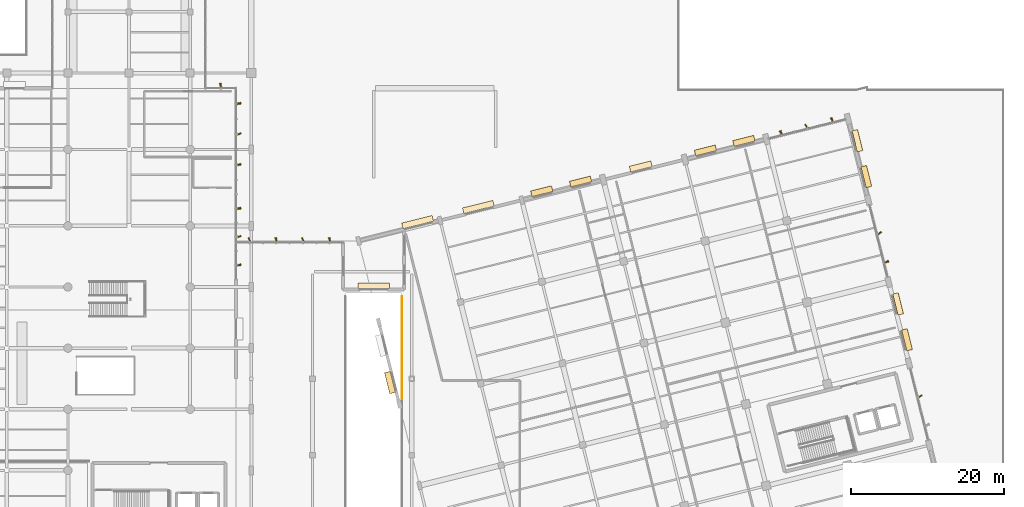
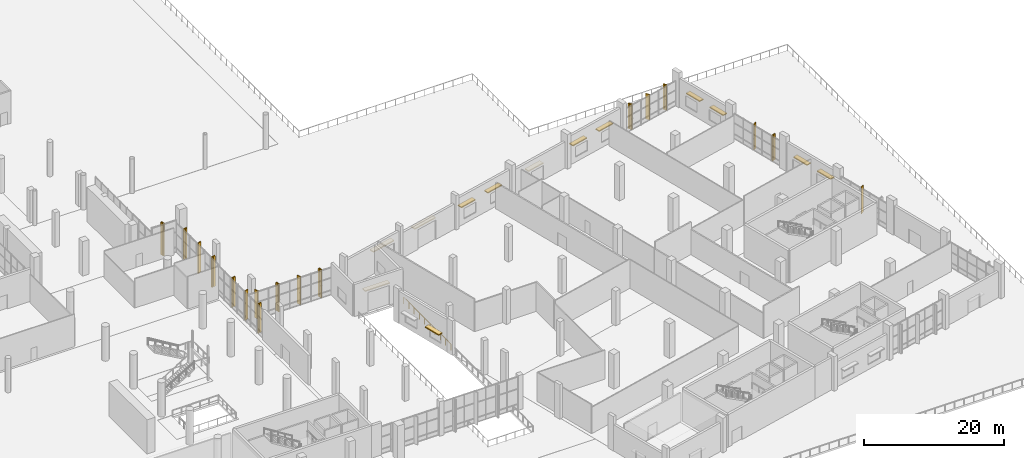
# One storey, part 159 of 163: 26 shading devices, 23 coverings, 1 railing.
"""IFC4 building model written with IfcOpenShell, lengths in metres."""

import ifcopenshell
import ifcopenshell.guid

model = None  # the IFC model being written
_history = None  # IfcOwnerHistory: only IFC2X3 demands one
_inside = {}  # id of a spatial element -> (the spatial element, [elements in it])
_under = {}  # id of a project, library or spatial element -> (it, [spatial elements below it])
_declared = {}  # id of a project -> (the project, [libraries it declares])
_typed = {}  # id of a type object -> (the type object, [elements of that type])
_made_of = {}  # id of a material, layer set ... -> (it, [elements and type objects made of it])


def new_model(schema):
    """Start an empty IFC model of exactly this schema.

    Asked for "IFC4X3", IfcOpenShell would pick the latest addendum, in which some entities
    have other attributes; the version numbers below select the first issue.
    IFC2X3 requires an IfcOwnerHistory on every rooted entity: one is made here for all.
    """
    global model, _history
    if schema == "IFC4X3":
        model = ifcopenshell.file(schema_version=(4, 3, 0, 0))
    else:
        model = ifcopenshell.file(schema=schema)
    _inside.clear()
    _under.clear()
    _declared.clear()
    _typed.clear()
    _made_of.clear()
    _history = None
    if model.schema == "IFC2X3":
        org = make("IfcOrganization", Name="unknown")
        user = make(
            "IfcPersonAndOrganization",
            ThePerson=make("IfcPerson", FamilyName="unknown"),
            TheOrganization=org,
        )
        app = make(
            "IfcApplication",
            ApplicationDeveloper=org,
            Version="unknown",
            ApplicationFullName="unknown",
            ApplicationIdentifier="unknown",
        )
        _history = make(
            "IfcOwnerHistory",
            OwningUser=user,
            OwningApplication=app,
            ChangeAction="ADDED",
            CreationDate=0,
        )
    return model


def make(cls, **values):
    """One entity of the class cls with the attributes given. An attribute that is None is left unset."""
    return model.create_entity(
        cls, **{name: value for name, value in values.items() if value is not None}
    )


def rooted(cls, **values):
    """An entity with a GlobalId (a new one), such as an element, a storey or a relation."""
    return make(cls, GlobalId=ifcopenshell.guid.new(), OwnerHistory=_history, **values)


def si_unit(unit_type, name, prefix=None):
    """IfcSIUnit, for example si_unit("LENGTHUNIT", "METRE", prefix="MILLI")."""
    return make("IfcSIUnit", UnitType=unit_type, Prefix=prefix, Name=name)


def assignment(units):
    """IfcUnitAssignment: the units of a project."""
    return None if units is None else make("IfcUnitAssignment", Units=units)


def point(xyz):
    """IfcCartesianPoint."""
    return None if xyz is None else make("IfcCartesianPoint", Coordinates=xyz)


def direction(xyz):
    """IfcDirection."""
    return None if xyz is None else make("IfcDirection", DirectionRatios=xyz)


def frame(location, z_axis=None, x_axis=None):
    """IfcAxis2Placement3D, a coordinate frame: its origin and axes. An axis left out is left unset."""
    return make(
        "IfcAxis2Placement3D",
        Location=point(location),
        Axis=direction(z_axis),
        RefDirection=direction(x_axis),
    )


def frame_2d(location, x_axis=None):
    """IfcAxis2Placement2D, a coordinate frame in the plane: its origin and x axis."""
    return make(
        "IfcAxis2Placement2D", Location=point(location), RefDirection=direction(x_axis)
    )


def origin():
    """The frame at (0, 0, 0) with its axes left unset."""
    return frame((0.0, 0.0, 0.0))


def origin_2d():
    """The frame at (0, 0) in the plane with its x axis left unset."""
    return frame_2d((0.0, 0.0))


def place(relative_to, where):
    """IfcLocalPlacement: puts the frame where relative to a parent placement (None: the world)."""
    return make(
        "IfcLocalPlacement", PlacementRelTo=relative_to, RelativePlacement=where
    )


def context(
    kind, dimensions, precision=None, world=None, true_north=None, identifier=None
):
    """IfcGeometricRepresentationContext, for example the 3D "Model" context."""
    return make(
        "IfcGeometricRepresentationContext",
        ContextIdentifier=identifier,
        ContextType=kind,
        CoordinateSpaceDimension=dimensions,
        Precision=precision,
        WorldCoordinateSystem=world,
        TrueNorth=true_north,
    )


def subcontext(parent, identifier, kind, view, scale=None):
    """IfcGeometricRepresentationSubContext, for example "Body" below "Model"."""
    return make(
        "IfcGeometricRepresentationSubContext",
        ContextIdentifier=identifier,
        ContextType=kind,
        ParentContext=parent,
        TargetScale=scale,
        TargetView=view,
    )


def project(units=None, contexts=None):
    """IfcProject with its units and contexts."""
    return rooted(
        "IfcProject",
        Name="project",
        RepresentationContexts=contexts,
        UnitsInContext=assignment(units),
    )


def spatial(cls, under=None, at=None, **own):
    """A site, building, storey or space (cls), placed at a placement, below another one or the project."""
    s = rooted(cls, ObjectPlacement=at, **own)
    if under is not None:
        _under.setdefault(under.id(), (under, []))[1].append(s)
    return s


def profile(cls, at=None, kind="AREA", **sizes):
    """A parametric profile (cls). Its sizes go by their IFC names, for example OverallWidth=200.0."""
    return make(cls, ProfileType=kind, Position=at, **sizes)


def rectangle(**sizes):
    """IfcRectangleProfileDef."""
    return profile("IfcRectangleProfileDef", **sizes)


def extrude(swept, where, along, depth):
    """IfcExtrudedAreaSolid: the profile swept, set in the frame where, extruded along a direction by depth."""
    return make(
        "IfcExtrudedAreaSolid",
        SweptArea=swept,
        Position=where,
        ExtrudedDirection=direction(along),
        Depth=depth,
    )


def shape(context_of_items, identifier, shape_type, items):
    """IfcShapeRepresentation: the items that make up one representation, for example the "Body"."""
    return make(
        "IfcShapeRepresentation",
        ContextOfItems=context_of_items,
        RepresentationIdentifier=identifier,
        RepresentationType=shape_type,
        Items=items,
    )


def material(Name=None, Category=None):
    """IfcMaterial."""
    return make("IfcMaterial", Name=Name, Category=Category)


def layer(
    of_material, thickness, ventilated=None, Name=None, Category=None, Priority=None
):
    """IfcMaterialLayer: one layer of a wall or slab, of a material (None: an air gap)."""
    return make(
        "IfcMaterialLayer",
        Material=of_material,
        LayerThickness=thickness,
        IsVentilated=ventilated,
        Name=Name,
        Category=Category,
        Priority=Priority,
    )


def layer_set(layers, Name=None):
    """IfcMaterialLayerSet."""
    return make("IfcMaterialLayerSet", MaterialLayers=layers, LayerSetName=Name)


def made_of(thing, what):
    """Note that an element or type object is made of a material, layer set ...; save() writes the relation."""
    if what is not None:
        _made_of.setdefault(what.id(), (what, []))[1].append(thing)
    return thing


def type_object(cls, material=None, **own):
    """A type object (cls), such as IfcWallType, which elements share."""
    return made_of(rooted(cls, **own), material)


def element(
    cls,
    number,
    at=None,
    inside=None,
    cuts=None,
    type_object=None,
    material=None,
    context=None,
    identifier="Body",
    shape_type=None,
    held_by="IfcProductDefinitionShape",
    body=None,
    shapes=None,
    **own,
):
    """One element of the class cls, such as IfcWall. Its Tag is "e" and its number.

    at: its placement. inside: the storey or other place that contains it. cuts: it is an
    opening in that element (IfcRelVoidsElement). A single representation is given by context,
    identifier, shape_type and body (its items); several are given by shapes. held_by: the class
    of the entity that holds the representations. save() writes the other relations.
    """
    e = rooted(cls, Tag="e%d" % number, ObjectPlacement=at, **own)
    if body is not None:
        shapes = [shape(context, identifier, shape_type, body)]
    if shapes is not None:
        e.Representation = make(held_by, Representations=shapes)
    if inside is not None:
        _inside.setdefault(inside.id(), (inside, []))[1].append(e)
    if cuts is not None:
        rooted(
            "IfcRelVoidsElement", RelatingBuildingElement=cuts, RelatedOpeningElement=e
        )
    if type_object is not None:
        _typed.setdefault(type_object.id(), (type_object, []))[1].append(e)
    return made_of(e, material)


def aggregate(whole, parts):
    """IfcRelAggregates: a whole, such as a stair, and the parts it consists of."""
    return rooted("IfcRelAggregates", RelatingObject=whole, RelatedObjects=parts)


def save(model, path):
    """Write the relations noted so far, then the file.

    IfcRelAggregates (storeys below a building ...), IfcRelContainedInSpatialStructure (elements
    in a storey), IfcRelDefinesByType, IfcRelAssociatesMaterial and IfcRelDeclares: one each for
    every whole, place, type object, material and project.
    """
    for whole, parts in _under.values():
        aggregate(whole, parts)
    for where, things in _inside.values():
        rooted(
            "IfcRelContainedInSpatialStructure",
            RelatedElements=things,
            RelatingStructure=where,
        )
    for kind, things in _typed.values():
        rooted("IfcRelDefinesByType", RelatedObjects=things, RelatingType=kind)
    for what, things in _made_of.values():
        rooted("IfcRelAssociatesMaterial", RelatedObjects=things, RelatingMaterial=what)
    for by, libraries in _declared.values():
        rooted("IfcRelDeclares", RelatingContext=by, RelatedDefinitions=libraries)
    model.write(path)


model = new_model("IFC4")

# Units and contexts
model_context = context("Model", 3, precision=1e-05, world=origin(), true_north=direction((0.0, 1.0)))
body_context = subcontext(model_context, "Body", "Model", "MODEL_VIEW")
ifc_project = project(units=[si_unit("LENGTHUNIT", "METRE"), si_unit("AREAUNIT", "SQUARE_METRE"), si_unit("VOLUMEUNIT", "CUBIC_METRE"), si_unit("PLANEANGLEUNIT", "RADIAN"), si_unit("MASSUNIT", "GRAM", prefix="KILO")], contexts=[model_context])

# Site, building, storey
site_placement = place(None, origin())
site = spatial("IfcSite", under=ifc_project, at=site_placement, CompositionType="ELEMENT")
building_placement = place(site_placement, origin())
building = spatial("IfcBuilding", under=site, at=building_placement, Name="Khorjan Park Terminus", CompositionType="ELEMENT")
storey_placement = place(building_placement, origin())
storey = spatial("IfcBuildingStorey", under=building, at=storey_placement, Name="L00", CompositionType="ELEMENT", Elevation=0.0)

# Coverings
ifc_material_1 = material(Name="Pigmented Precast GRC", Category="concrete")
ifc_layer_1 = layer(ifc_material_1, 0.16)
ifc_layer_set_1 = layer_set([ifc_layer_1], Name="Pigmented Precast GRC")
covering_type_1 = type_object("IfcCoveringType", Name="CV-FIN-GRC", PredefinedType="CLADDING", material=ifc_layer_set_1)
covering_1_placement = place(storey_placement, frame((132.0, 86.355, -0.02), z_axis=(0.0, 0.0, 1.0), x_axis=(0.0, -1.0, 0.0)))
element("IfcCovering", 1, at=covering_1_placement, inside=storey, type_object=covering_type_1, Name="Projecting desert-sandstone GRC facade fin CL-FN1 (CW-V2-N-L00-08-1)", PredefinedType="CLADDING", context=body_context, shape_type="SweptSolid", body=[
    extrude(rectangle(XDim=0.58, YDim=0.16, at=origin_2d()), origin(), (0.0, 0.0, 1.0), 5.66),
])
for number, where, z_axis, x_axis, name in (
    (2, (134.355, 62.8571, -0.02), (0.0, 0.0, 1.0), (-1.0, 0.0, 0.0), "Projecting desert-sandstone GRC facade fin CL-FN1 (CW-V2-E-L00-03-1)"),
    (3, (134.355, 70.2857, -0.02), (0.0, 0.0, 1.0), (-1.0, 0.0, 0.0), "Projecting desert-sandstone GRC facade fin CL-FN1 (CW-V2-E-L00-03-5)"),
):
    element("IfcCovering", number, at=place(storey_placement, frame(where, z_axis=z_axis, x_axis=x_axis)), inside=storey, type_object=covering_type_1, Name=name, PredefinedType="CLADDING", context=body_context, shape_type="SweptSolid", body=[
        extrude(rectangle(XDim=0.58, YDim=0.16, at=origin_2d()), origin(), (0.0, 0.0, 1.0), 5.105),
    ])
for number, where, z_axis, x_axis, name in (
    (4, (134.355, 76.0, -0.02), (0.0, 0.0, 1.0), (-1.0, 0.0, 0.0), "Projecting desert-sandstone GRC facade fin CL-FN1 (CW-V2-E-L00-04-1)"),
    (5, (134.355, 84.0, -0.02), (0.0, 0.0, 1.0), (-1.0, 0.0, 0.0), "Projecting desert-sandstone GRC facade fin CL-FN1 (CW-V2-E-L00-04-5)"),
):
    element("IfcCovering", number, at=place(storey_placement, frame(where, z_axis=z_axis, x_axis=x_axis)), inside=storey, type_object=covering_type_1, Name=name, PredefinedType="CLADDING", context=body_context, shape_type="SweptSolid", body=[
        extrude(rectangle(XDim=0.58, YDim=0.16, at=origin_2d()), origin(), (0.0, 0.0, 1.0), 5.265),
    ])
for number, where, z_axis, x_axis, name in (
    (6, (146.25, 66.155, -0.02), (0.0, 0.0, 1.0), (0.0, -1.0, 0.0), "Projecting desert-sandstone GRC facade fin CL-FN1 (CW-V5L-N-L00-1-1)"),
    (7, (139.25, 66.155, -0.02), (0.0, 0.0, 1.0), (0.0, -1.0, 0.0), "Projecting desert-sandstone GRC facade fin CL-FN1 (CW-V5L-N-L00-1-5)"),
):
    element("IfcCovering", number, at=place(storey_placement, frame(where, z_axis=z_axis, x_axis=x_axis)), inside=storey, type_object=covering_type_1, Name=name, PredefinedType="CLADDING", context=body_context, shape_type="SweptSolid", body=[
        extrude(rectangle(XDim=0.58, YDim=0.16, at=origin_2d()), origin(), (0.0, 0.0, 1.0), 4.865),
    ])
covering_2_placement = place(storey_placement, frame((219.1086, 63.2764, -0.02), z_axis=(0.0, 0.0, 1.0), x_axis=(-0.970295726276, -0.2419218956, 0.0)))
element("IfcCovering", 8, at=covering_2_placement, inside=storey, type_object=covering_type_1, Name="Projecting desert-sandstone GRC facade fin CL-FN1 (CW-V5-E-L00-B05-1)", PredefinedType="CLADDING", context=body_context, shape_type="SweptSolid", body=[
    extrude(rectangle(XDim=0.58, YDim=0.16, at=origin_2d()), origin(), (0.0, 0.0, 1.0), 4.465),
])
for number, where, z_axis, x_axis, name in (
    (9, (211.9946, 81.8541, -0.02), (0.0, 0.0, 1.0), (0.2419218956, -0.970295726276, 0.0), "Projecting desert-sandstone GRC facade fin CL-FN1 (CW-V5-N-L00-B01-1)"),
    (10, (205.3055, 80.1863, -0.02), (0.0, 0.0, 1.0), (0.2419218956, -0.970295726276, 0.0), "Projecting desert-sandstone GRC facade fin CL-FN1 (CW-V5-N-L00-B01-5)"),
):
    element("IfcCovering", number, at=place(storey_placement, frame(where, z_axis=z_axis, x_axis=x_axis)), inside=storey, type_object=covering_type_1, Name=name, PredefinedType="CLADDING", context=body_context, shape_type="SweptSolid", body=[
        extrude(rectangle(XDim=0.58, YDim=0.16, at=origin_2d()), origin(), (0.0, 0.0, 1.0), 4.415),
    ])
ifc_layer_2 = layer(ifc_material_1, 0.18)
ifc_layer_set_2 = layer_set([ifc_layer_2], Name="Pigmented Precast GRC")
covering_type_2 = type_object("IfcCoveringType", Name="CV-HOOD-GRC", PredefinedType="CLADDING", material=ifc_layer_set_2)
covering_3_placement = place(storey_placement, frame((152.0, 60.16, 3.41), z_axis=(0.0, 0.0, 1.0), x_axis=(-1.0, 0.0, 0.0)))
element("IfcCovering", 11, at=covering_3_placement, inside=storey, type_object=covering_type_2, Name="Projecting pigmented-GRC entrance canopy hood CL-HD1 (EW-V5RMP-N-L00)", PredefinedType="CLADDING", context=body_context, shape_type="SweptSolid", body=[
    extrude(rectangle(XDim=4.1, YDim=0.76, at=origin_2d()), origin(), (0.0, 0.0, 1.0), 0.18),
])
for number, where, z_axis, x_axis, name in (
    (12, (221.8003, 53.1, 2.73), (0.0, 0.0, 1.0), (-0.241910213292, 0.970298638928, 0.0), "Projecting desert-sandstone GRC window eyebrow CL-HD1 (EW-V5-E-L00-B04-1)"),
    (13, (220.6307, 57.7913, 2.73), (0.0, 0.0, 1.0), (-0.241910213292, 0.970298638928, 0.0), "Projecting desert-sandstone GRC window eyebrow CL-HD1 (EW-V5-E-L00-B04-2)"),
    (14, (216.4782, 74.446, 2.73), (0.0, 0.0, 1.0), (-0.241919949632, 0.970296211458, 0.0), "Projecting desert-sandstone GRC window eyebrow CL-HD1 (EW-V5-E-L00-B06-1)"),
    (15, (215.3085, 79.1372, 2.73), (0.0, 0.0, 1.0), (-0.241919949632, 0.970296211458, 0.0), "Projecting desert-sandstone GRC window eyebrow CL-HD1 (EW-V5-E-L00-B06-2)"),
    (16, (200.4557, 79.1318, 2.73), (0.0, 0.0, 1.0), (-0.970297165188, -0.241916124366, 0.0), "Projecting desert-sandstone GRC window eyebrow CL-HD1 (EW-V5-N-L00-B02-1)"),
    (17, (195.4248, 77.8774, 2.73), (0.0, 0.0, 1.0), (-0.970297165188, -0.241916124366, 0.0), "Projecting desert-sandstone GRC window eyebrow CL-HD1 (EW-V5-N-L00-B02-2)"),
):
    element("IfcCovering", number, at=place(storey_placement, frame(where, z_axis=z_axis, x_axis=x_axis)), inside=storey, type_object=covering_type_2, Name=name, PredefinedType="CLADDING", context=body_context, shape_type="SweptSolid", body=[
        extrude(rectangle(XDim=2.84, YDim=0.74, at=origin_2d()), origin(), (0.0, 0.0, 1.0), 0.16),
    ])
covering_4_placement = place(storey_placement, frame((186.9603, 75.772, 2.51), z_axis=(0.0, 0.0, 1.0), x_axis=(-0.970294337116, -0.241927467146, 0.0)))
element("IfcCovering", 18, at=covering_4_placement, inside=storey, type_object=covering_type_2, Name="Projecting pigmented-GRC entrance canopy hood CL-HD1 (EW-V5-N-L00-B03)", PredefinedType="CLADDING", context=body_context, shape_type="SweptSolid", body=[
    extrude(rectangle(XDim=2.9, YDim=0.76, at=origin_2d()), origin(), (0.0, 0.0, 1.0), 0.18),
])
for number, where, z_axis, x_axis, name in (
    (19, (179.0856, 73.8035, 2.73), (0.0, 0.0, 1.0), (-0.970297370004, -0.241915302872, 0.0), "Projecting desert-sandstone GRC window eyebrow CL-HD1 (EW-V5-N-L00-B04-1)"),
    (20, (174.0062, 72.5371, 2.73), (0.0, 0.0, 1.0), (-0.970297370004, -0.241915302872, 0.0), "Projecting desert-sandstone GRC window eyebrow CL-HD1 (EW-V5-N-L00-B04-2)"),
):
    element("IfcCovering", number, at=place(storey_placement, frame(where, z_axis=z_axis, x_axis=x_axis)), inside=storey, type_object=covering_type_2, Name=name, PredefinedType="CLADDING", context=body_context, shape_type="SweptSolid", body=[
        extrude(rectangle(XDim=2.84, YDim=0.74, at=origin_2d()), origin(), (0.0, 0.0, 1.0), 0.16),
    ])
for number, where, z_axis, x_axis, name in (
    (21, (165.7114, 70.4742, 3.41), (0.0, 0.0, 1.0), (-0.970295338259, -0.241923451845, 0.0), "Projecting pigmented-GRC entrance canopy hood CL-HD1 (EW-V5-N-L00-B05)"),
    (22, (157.7543, 68.4903, 3.41), (0.0, 0.0, 1.0), (-0.970294796448, -0.241925624907, 0.0), "Projecting pigmented-GRC entrance canopy hood CL-HD1 (EW-V5-N-L00-B06)"),
):
    element("IfcCovering", number, at=place(storey_placement, frame(where, z_axis=z_axis, x_axis=x_axis)), inside=storey, type_object=covering_type_2, Name=name, PredefinedType="CLADDING", context=body_context, shape_type="SweptSolid", body=[
        extrude(rectangle(XDim=4.1, YDim=0.76, at=origin_2d()), origin(), (0.0, 0.0, 1.0), 0.18),
    ])
covering_5_placement = place(storey_placement, frame((154.1378, 47.489, 2.73), z_axis=(0.0, 0.0, 1.0), x_axis=(0.241921955244, -0.970295711405, 0.0)))
element("IfcCovering", 23, at=covering_5_placement, inside=storey, type_object=covering_type_2, Name="Projecting desert-sandstone GRC window eyebrow CL-HD1 (EW-V5-W-L00-B02-2)", PredefinedType="CLADDING", context=body_context, shape_type="SweptSolid", body=[
    extrude(rectangle(XDim=2.84, YDim=0.74, at=origin_2d()), origin(), (0.0, 0.0, 1.0), 0.16),
])

# Railing
ifc_material_2 = material(Name="Steel S355", Category="steel")
railing_type = type_object("IfcRailingType", Name="GR-EXT", PredefinedType="GUARDRAIL", material=ifc_material_2)
railing_placement = place(storey_placement, frame((155.7, 45.3364, 0.0)))
element("IfcRailing", 24, at=railing_placement, inside=storey, type_object=railing_type, Name="Perimeter safety guard GR-EXT (L00-11)", PredefinedType="GUARDRAIL", context=body_context, shape_type="SweptSolid", body=[
    extrude(rectangle(XDim=0.048, YDim=0.048, at=origin_2d()), frame((0.0, 0.0, 1.096), z_axis=(0.0, 1.0, 0.0), x_axis=(-1.0, 0.0, 0.0)), (0.0, 0.0, 1.0), 13.4136),
    extrude(rectangle(XDim=0.042, YDim=0.042, at=origin_2d()), origin(), (0.0, 0.0, 1.0), 1.072),
    extrude(rectangle(XDim=0.042, YDim=0.042, at=origin_2d()), frame((0.0, 1.4904, 0.0)), (0.0, 0.0, 1.0), 1.072),
    extrude(rectangle(XDim=0.042, YDim=0.042, at=origin_2d()), frame((0.0, 2.9808, 0.0)), (0.0, 0.0, 1.0), 1.072),
    extrude(rectangle(XDim=0.042, YDim=0.042, at=origin_2d()), frame((0.0, 4.4712, 0.0)), (0.0, 0.0, 1.0), 1.072),
    extrude(rectangle(XDim=0.042, YDim=0.042, at=origin_2d()), frame((0.0, 5.9616, 0.0)), (0.0, 0.0, 1.0), 1.072),
    extrude(rectangle(XDim=0.042, YDim=0.042, at=origin_2d()), frame((0.0, 7.452, 0.0)), (0.0, 0.0, 1.0), 1.072),
    extrude(rectangle(XDim=0.042, YDim=0.042, at=origin_2d()), frame((0.0, 8.9424, 0.0)), (0.0, 0.0, 1.0), 1.072),
    extrude(rectangle(XDim=0.042, YDim=0.042, at=origin_2d()), frame((0.0, 10.4328, 0.0)), (0.0, 0.0, 1.0), 1.072),
    extrude(rectangle(XDim=0.042, YDim=0.042, at=origin_2d()), frame((0.0, 11.9232, 0.0)), (0.0, 0.0, 1.0), 1.072),
    extrude(rectangle(XDim=0.042, YDim=0.042, at=origin_2d()), frame((0.0, 13.4136, 0.0)), (0.0, 0.0, 1.0), 1.072),
])

# Shading devices
ifc_material_3 = material(Name="Anodized Bronze Aluminium", Category="aluminium")
shading_device_type_1 = type_object("IfcShadingDeviceType", Name="SD-FIN-620", PredefinedType="JALOUSIE", material=ifc_material_3)
shading_device_1_placement = place(storey_placement, frame((132.0, 86.355, -0.02), z_axis=(0.0, 0.0, 1.0), x_axis=(0.374606593416, -0.927183854567, 0.0)))
element("IfcShadingDevice", 25, at=shading_device_1_placement, inside=storey, type_object=shading_device_type_1, Name="Angled solar brise-soleil fin SF-62 (CW-V2-N-L00-08-1)", PredefinedType="JALOUSIE", context=body_context, shape_type="SweptSolid", body=[
    extrude(rectangle(XDim=0.62, YDim=0.14, at=origin_2d()), origin(), (0.0, 0.0, 1.0), 5.66),
])
for number, where, z_axis, x_axis, name in (
    (26, (134.355, 62.8571, -0.02), (0.0, 0.0, 1.0), (-0.927183854567, -0.374606593416, 0.0), "Angled solar brise-soleil fin SF-62 (CW-V2-E-L00-03-1)"),
    (27, (134.355, 66.5714, -0.02), (0.0, 0.0, 1.0), (-0.927183854567, -0.374606593416, 0.0), "Angled solar brise-soleil fin SF-62 (CW-V2-E-L00-03-3)"),
    (28, (134.355, 70.2857, -0.02), (0.0, 0.0, 1.0), (-0.927183854567, -0.374606593416, 0.0), "Angled solar brise-soleil fin SF-62 (CW-V2-E-L00-03-5)"),
):
    element("IfcShadingDevice", number, at=place(storey_placement, frame(where, z_axis=z_axis, x_axis=x_axis)), inside=storey, type_object=shading_device_type_1, Name=name, PredefinedType="JALOUSIE", context=body_context, shape_type="SweptSolid", body=[
        extrude(rectangle(XDim=0.62, YDim=0.14, at=origin_2d()), origin(), (0.0, 0.0, 1.0), 5.105),
    ])
for number, where, z_axis, x_axis, name in (
    (29, (134.355, 76.0, -0.02), (0.0, 0.0, 1.0), (-0.927183854567, -0.374606593416, 0.0), "Angled solar brise-soleil fin SF-62 (CW-V2-E-L00-04-1)"),
    (30, (134.355, 80.0, -0.02), (0.0, 0.0, 1.0), (-0.927183854567, -0.374606593416, 0.0), "Angled solar brise-soleil fin SF-62 (CW-V2-E-L00-04-3)"),
    (31, (134.355, 84.0, -0.02), (0.0, 0.0, 1.0), (-0.927183854567, -0.374606593416, 0.0), "Angled solar brise-soleil fin SF-62 (CW-V2-E-L00-04-5)"),
):
    element("IfcShadingDevice", number, at=place(storey_placement, frame(where, z_axis=z_axis, x_axis=x_axis)), inside=storey, type_object=shading_device_type_1, Name=name, PredefinedType="JALOUSIE", context=body_context, shape_type="SweptSolid", body=[
        extrude(rectangle(XDim=0.62, YDim=0.14, at=origin_2d()), origin(), (0.0, 0.0, 1.0), 5.265),
    ])
for number, where, z_axis, x_axis, name in (
    (32, (146.25, 66.155, -0.02), (0.0, 0.0, 1.0), (0.374606593416, -0.927183854567, 0.0), "Angled solar brise-soleil fin SF-62 (CW-V5L-N-L00-1-1)"),
    (33, (142.75, 66.155, -0.02), (0.0, 0.0, 1.0), (0.374606593416, -0.927183854567, 0.0), "Angled solar brise-soleil fin SF-62 (CW-V5L-N-L00-1-3)"),
    (34, (139.25, 66.155, -0.02), (0.0, 0.0, 1.0), (0.374606593416, -0.927183854567, 0.0), "Angled solar brise-soleil fin SF-62 (CW-V5L-N-L00-1-5)"),
    (35, (135.75, 66.155, -0.02), (0.0, 0.0, 1.0), (0.374606593416, -0.927183854567, 0.0), "Angled solar brise-soleil fin SF-62 (CW-V5L-N-L00-1-7)"),
):
    element("IfcShadingDevice", number, at=place(storey_placement, frame(where, z_axis=z_axis, x_axis=x_axis)), inside=storey, type_object=shading_device_type_1, Name=name, PredefinedType="JALOUSIE", context=body_context, shape_type="SweptSolid", body=[
        extrude(rectangle(XDim=0.62, YDim=0.14, at=origin_2d()), origin(), (0.0, 0.0, 1.0), 4.865),
    ])
shading_device_2_placement = place(storey_placement, frame((223.4979, 45.6714, -0.02), z_axis=(0.0, 0.0, 1.0), x_axis=(-0.809016994375, -0.587785252292, 0.0)))
element("IfcShadingDevice", 36, at=shading_device_2_placement, inside=storey, type_object=shading_device_type_1, Name="Angled solar brise-soleil fin SF-62 (CW-V5-E-L00-B03-3)", PredefinedType="JALOUSIE", context=body_context, shape_type="SweptSolid", body=[
    extrude(rectangle(XDim=0.62, YDim=0.14, at=origin_2d()), origin(), (0.0, 0.0, 1.0), 4.605),
])
for number, where, z_axis, x_axis, name in (
    (37, (219.1086, 63.2764, -0.02), (0.0, 0.0, 1.0), (-0.809016994375, -0.587785252292, 0.0), "Angled solar brise-soleil fin SF-62 (CW-V5-E-L00-B05-1)"),
    (38, (218.1757, 67.0177, -0.02), (0.0, 0.0, 1.0), (-0.809016994375, -0.587785252292, 0.0), "Angled solar brise-soleil fin SF-62 (CW-V5-E-L00-B05-3)"),
):
    element("IfcShadingDevice", number, at=place(storey_placement, frame(where, z_axis=z_axis, x_axis=x_axis)), inside=storey, type_object=shading_device_type_1, Name=name, PredefinedType="JALOUSIE", context=body_context, shape_type="SweptSolid", body=[
        extrude(rectangle(XDim=0.62, YDim=0.14, at=origin_2d()), origin(), (0.0, 0.0, 1.0), 4.465),
    ])
for number, where, z_axis, x_axis, name in (
    (39, (211.9946, 81.8541, -0.02), (0.0, 0.0, 1.0), (0.587785252292, -0.809016994375, 0.0), "Angled solar brise-soleil fin SF-62 (CW-V5-N-L00-B01-1)"),
    (40, (208.6501, 81.0202, -0.02), (0.0, 0.0, 1.0), (0.587785252292, -0.809016994375, 0.0), "Angled solar brise-soleil fin SF-62 (CW-V5-N-L00-B01-3)"),
    (41, (205.3055, 80.1863, -0.02), (0.0, 0.0, 1.0), (0.587785252292, -0.809016994375, 0.0), "Angled solar brise-soleil fin SF-62 (CW-V5-N-L00-B01-5)"),
):
    element("IfcShadingDevice", number, at=place(storey_placement, frame(where, z_axis=z_axis, x_axis=x_axis)), inside=storey, type_object=shading_device_type_1, Name=name, PredefinedType="JALOUSIE", context=body_context, shape_type="SweptSolid", body=[
        extrude(rectangle(XDim=0.62, YDim=0.14, at=origin_2d()), origin(), (0.0, 0.0, 1.0), 4.415),
    ])
shading_device_type_2 = type_object("IfcShadingDeviceType", Name="SD-SUN-750", PredefinedType="SHUTTER", material=ifc_material_3)
for number, where, z_axis, x_axis, name in (
    (42, (221.8003, 53.1, 2.66), (0.0, 0.0, 1.0), (-0.241910213292, 0.970298638928, 0.0), "Projecting solar overhang hood SH-75 (EW-V5-E-L00-B04-1)"),
    (43, (220.6307, 57.7913, 2.66), (0.0, 0.0, 1.0), (-0.241910213292, 0.970298638928, 0.0), "Projecting solar overhang hood SH-75 (EW-V5-E-L00-B04-2)"),
    (44, (216.4782, 74.446, 2.66), (0.0, 0.0, 1.0), (-0.241919949632, 0.970296211458, 0.0), "Projecting solar overhang hood SH-75 (EW-V5-E-L00-B06-1)"),
    (45, (215.3085, 79.1372, 2.66), (0.0, 0.0, 1.0), (-0.241919949632, 0.970296211458, 0.0), "Projecting solar overhang hood SH-75 (EW-V5-E-L00-B06-2)"),
    (46, (200.4557, 79.1318, 2.66), (0.0, 0.0, 1.0), (-0.970297165188, -0.241916124366, 0.0), "Projecting solar overhang hood SH-75 (EW-V5-N-L00-B02-1)"),
    (47, (195.4248, 77.8774, 2.66), (0.0, 0.0, 1.0), (-0.970297165188, -0.241916124366, 0.0), "Projecting solar overhang hood SH-75 (EW-V5-N-L00-B02-2)"),
    (48, (179.0856, 73.8035, 2.66), (0.0, 0.0, 1.0), (-0.970297370004, -0.241915302872, 0.0), "Projecting solar overhang hood SH-75 (EW-V5-N-L00-B04-1)"),
    (49, (174.0062, 72.5371, 2.66), (0.0, 0.0, 1.0), (-0.970297370004, -0.241915302872, 0.0), "Projecting solar overhang hood SH-75 (EW-V5-N-L00-B04-2)"),
    (50, (154.1378, 47.489, 2.66), (0.0, 0.0, 1.0), (0.241921955244, -0.970295711405, 0.0), "Projecting solar overhang hood SH-75 (EW-V5-W-L00-B02-2)"),
):
    element("IfcShadingDevice", number, at=place(storey_placement, frame(where, z_axis=z_axis, x_axis=x_axis)), inside=storey, type_object=shading_device_type_2, Name=name, PredefinedType="SHUTTER", context=body_context, shape_type="SweptSolid", body=[
        extrude(rectangle(XDim=2.76, YDim=0.76, at=origin_2d()), origin(), (0.0, 0.0, 1.0), 0.14),
    ])

save(model, "model.ifc")
